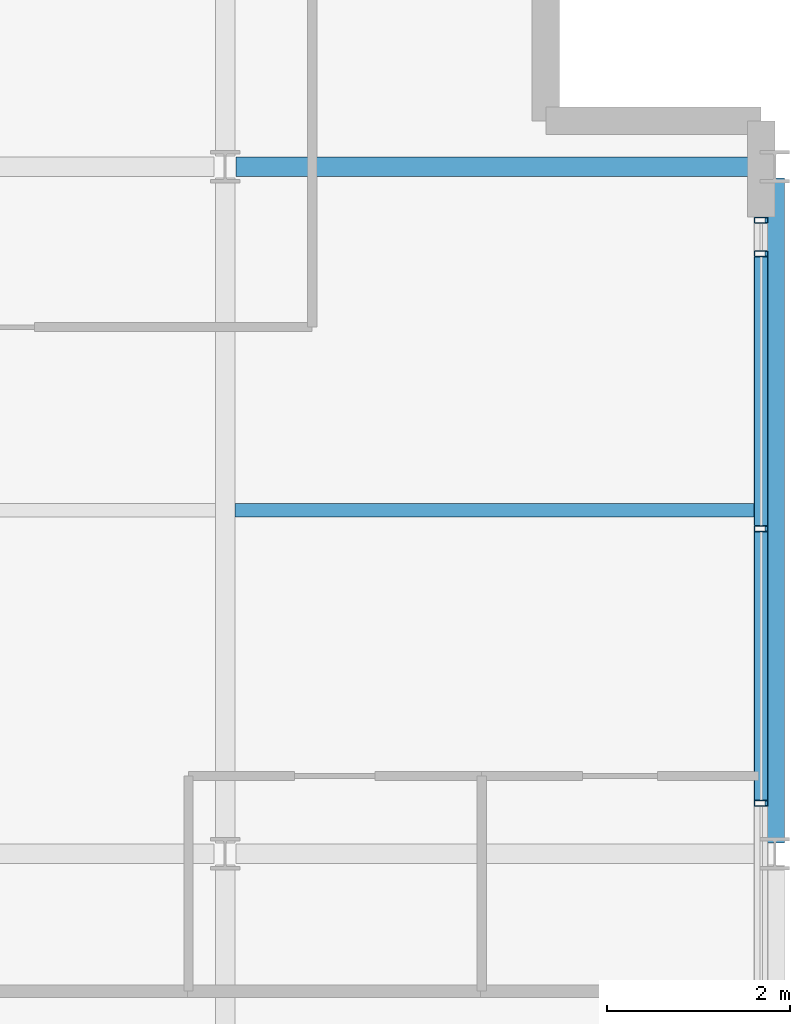
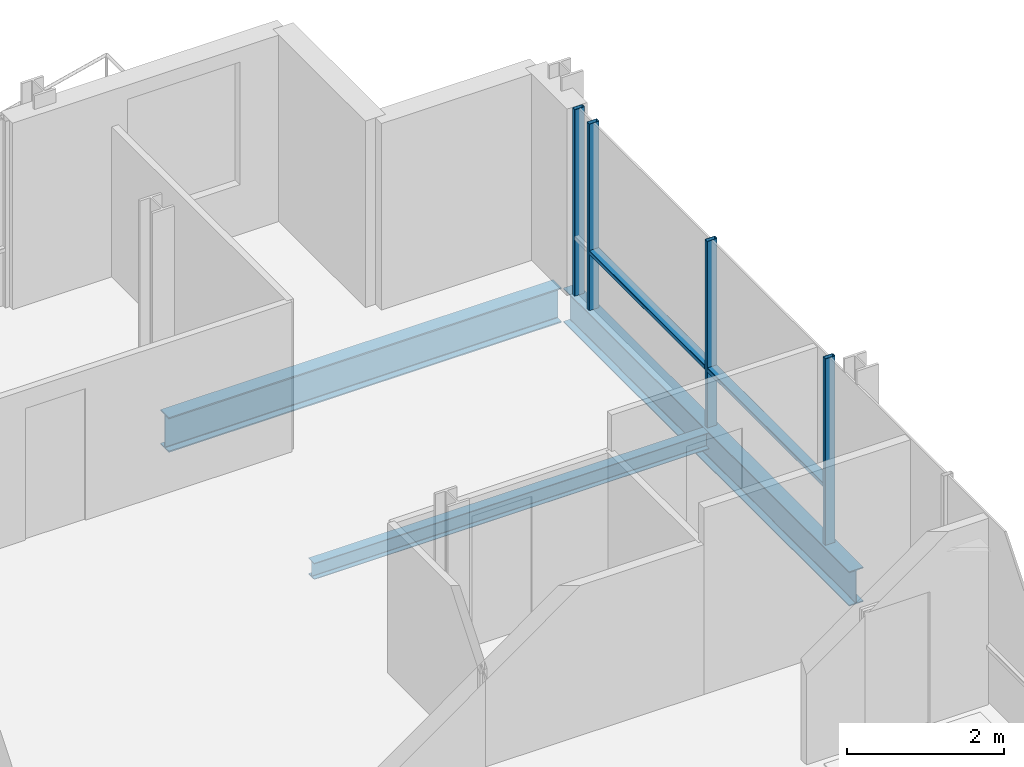
# One storey, part 9 of 17: 6 members, 3 beams, 1 element without a shape of its own.
"""IFC4 building model written with IfcOpenShell, lengths in metres."""

from ifc_helpers import new_model, si_unit, direction, frame, origin, origin_2d, place, context, subcontext, project, spatial, hollow_rectangle, i_section, extrude, material, layer, layer_set, material_profile, profile_set, type_object, element, aggregate, save


model = new_model("IFC4")

# Units and contexts
model_context = context("Model", 3, precision=1e-05, world=origin(), true_north=direction((0.0, 1.0)))
body_context = subcontext(model_context, "Body", "Model", "MODEL_VIEW")
ifc_project = project(units=[si_unit("LENGTHUNIT", "METRE"), si_unit("AREAUNIT", "SQUARE_METRE"), si_unit("VOLUMEUNIT", "CUBIC_METRE"), si_unit("PLANEANGLEUNIT", "RADIAN"), si_unit("MASSUNIT", "GRAM", prefix="KILO")], contexts=[model_context])

# Site, building, storey
site_placement = place(None, origin())
site = spatial("IfcSite", under=ifc_project, at=site_placement, CompositionType="ELEMENT")
building_placement = place(site_placement, origin())
building = spatial("IfcBuilding", under=site, at=building_placement, Name="Brevholm Reach", CompositionType="ELEMENT")
storey_placement = place(building_placement, frame((0.0, 0.0, 221.10009765625)))
storey = spatial("IfcBuildingStorey", under=building, at=storey_placement, Name="L67", CompositionType="ELEMENT", Elevation=221.10009765625)

# Beams
ifc_material_1 = material(Name="Structural Steel S355J2", Category="steel")
ifc_material_profile_1 = material_profile(ifc_material_1, i_section(OverallWidth=0.14599609375, OverallDepth=0.25146484375, WebThickness=0.006103515625, FlangeThickness=0.008544921875, FilletRadius=0.007568359375, at=origin_2d()), Name="UKB 254x146x31")
ifc_profile_set_1 = profile_set([ifc_material_profile_1], Name="Structural Steel S355J2")
beam_type_1 = type_object("IfcBeamType", Name="BM-B254", PredefinedType="BEAM", material=ifc_profile_set_1)
beam_1_placement = place(storey_placement, frame((54.10546875, 19.75, -0.335693359375), z_axis=(1.0, 0.0, 0.0), x_axis=(0.0, 1.0, 0.0)))
element("IfcBeam", 1, at=beam_1_placement, inside=storey, type_object=beam_type_1, Name="L67 Composite Secondary Floor Beam", PredefinedType="BEAM", context=body_context, shape_type="SweptSolid", body=[
    extrude(i_section(OverallWidth=0.14599609375, OverallDepth=0.25146484375, WebThickness=0.006103515625, FlangeThickness=0.008544921875, FilletRadius=0.007568359375, at=origin_2d()), origin(), (0.0, 0.0, 1.0), 5.789794921875),
])
ifc_material_2 = material(Name="Structural Steel S355J2", Category="steel")
ifc_material_profile_2 = material_profile(ifc_material_2, i_section(OverallWidth=0.209228515625, OverallDepth=0.533203125, WebThickness=0.010009765625, FlangeThickness=0.015625, FilletRadius=0.0126953125, at=origin_2d()), Name="UKB 533x210x92")
ifc_profile_set_2 = profile_set([ifc_material_profile_2], Name="Structural Steel S355J2")
beam_type_2 = type_object("IfcBeamType", Name="BM-SP533", PredefinedType="SPANDREL", material=ifc_profile_set_2)
beam_2_placement = place(storey_placement, frame((60.0, 16.1201171875, -0.4765625), z_axis=(0.0, 1.0, 0.0), x_axis=(-1.0, 0.0, 0.0)))
element("IfcBeam", 2, at=beam_2_placement, inside=storey, type_object=beam_type_2, Name="L67 SP-02 Framing Beam", PredefinedType="SPANDREL", context=body_context, shape_type="SweptSolid", body=[
    extrude(i_section(OverallWidth=0.209228515625, OverallDepth=0.533203125, WebThickness=0.010009765625, FlangeThickness=0.015625, FilletRadius=0.0126953125, at=origin_2d()), origin(), (0.0, 0.0, 1.0), 7.259765625),
])
ifc_material_3 = material(Name="Structural Steel S355J2", Category="steel")
ifc_material_profile_3 = material_profile(ifc_material_3, i_section(OverallWidth=0.210693359375, OverallDepth=0.53955078125, WebThickness=0.01171875, FlangeThickness=0.018798828125, FilletRadius=0.0126953125, at=origin_2d()), Name="UKB 533x210x109")
ifc_profile_set_3 = profile_set([ifc_material_profile_3], Name="Structural Steel S355J2")
beam_type_3 = type_object("IfcBeamType", Name="BM-SP539", PredefinedType="SPANDREL", material=ifc_profile_set_3)
beam_3_placement = place(storey_placement, frame((54.1201171875, 23.5, -0.479736328125), z_axis=(1.0, 0.0, 0.0), x_axis=(0.0, 1.0, 0.0)))
element("IfcBeam", 3, at=beam_3_placement, inside=storey, type_object=beam_type_3, Name="L67 SP-01B Framing Beam", PredefinedType="SPANDREL", context=body_context, shape_type="SweptSolid", body=[
    extrude(i_section(OverallWidth=0.210693359375, OverallDepth=0.53955078125, WebThickness=0.01171875, FlangeThickness=0.018798828125, FilletRadius=0.0126953125, at=origin_2d()), origin(), (0.0, 0.0, 1.0), 5.759765625),
])

# Curtain wall, members
ifc_material_4 = material(Name="Dark Anodised Aluminium 6063-T6 and Solar-Control Glass", Category="aluminium")
ifc_layer = layer(ifc_material_4, 0.14990234375)
ifc_layer_set = layer_set([ifc_layer], Name="Dark Anodised Aluminium 6063-T6 and Solar-Control Glass")
curtain_wall_type = type_object("IfcCurtainWallType", Name="CW-01", PredefinedType="NOTDEFINED", material=ifc_layer_set)
curtain_wall_placement = place(storey_placement, origin())
curtain_wall = element("IfcCurtainWall", 4, at=curtain_wall_placement, inside=storey, type_object=curtain_wall_type, Name="L67 Curtain Wall CW-01", PredefinedType="NOTDEFINED")
ifc_material_5 = material(Name="Dark Anodised Aluminium 6063-T6", Category="aluminium")
ifc_material_profile_4 = material_profile(ifc_material_5, hollow_rectangle(XDim=0.06494140625, YDim=0.14990234375, WallThickness=0.0048828125, InnerFilletRadius=0.0048828125, OuterFilletRadius=0.010009765625, at=origin_2d()), Name="RHS 150x65x5")
ifc_profile_set_4 = profile_set([ifc_material_profile_4], Name="Dark Anodised Aluminium 6063-T6")
member_type_1 = type_object("IfcMemberType", Name="CWM-150", PredefinedType="MULLION", material=ifc_profile_set_4)
member_1_placement = place(storey_placement, frame((59.85009765625, 16.550048828125, 0.0), z_axis=(0.0, 0.0, 1.0), x_axis=(0.0, 1.0, 0.0)))
member_1 = element("IfcMember", 5, at=member_1_placement, type_object=member_type_1, Name="CM-150 Mullion 3", PredefinedType="MULLION", context=body_context, shape_type="SweptSolid", body=[
    extrude(hollow_rectangle(XDim=0.06494140625, YDim=0.14990234375, WallThickness=0.0048828125, InnerFilletRadius=0.0048828125, OuterFilletRadius=0.010009765625, at=origin_2d()), origin(), (0.0, 0.0, 1.0), 2.889892578125),
])
member_2_placement = place(storey_placement, frame((59.85009765625, 19.550048828125, 0.0), z_axis=(0.0, 0.0, 1.0), x_axis=(0.0, 1.0, 0.0)))
member_2 = element("IfcMember", 6, at=member_2_placement, type_object=member_type_1, Name="CM-150 Mullion 4", PredefinedType="MULLION", context=body_context, shape_type="SweptSolid", body=[
    extrude(hollow_rectangle(XDim=0.06494140625, YDim=0.14990234375, WallThickness=0.0048828125, InnerFilletRadius=0.0048828125, OuterFilletRadius=0.010009765625, at=origin_2d()), origin(), (0.0, 0.0, 1.0), 2.889892578125),
])
member_3_placement = place(storey_placement, frame((59.85009765625, 22.550048828125, 0.0), z_axis=(0.0, 0.0, 1.0), x_axis=(0.0, 1.0, 0.0)))
member_3 = element("IfcMember", 7, at=member_3_placement, type_object=member_type_1, Name="CM-150 Mullion 5", PredefinedType="MULLION", context=body_context, shape_type="SweptSolid", body=[
    extrude(hollow_rectangle(XDim=0.06494140625, YDim=0.14990234375, WallThickness=0.0048828125, InnerFilletRadius=0.0048828125, OuterFilletRadius=0.010009765625, at=origin_2d()), origin(), (0.0, 0.0, 1.0), 2.889892578125),
])
member_4_placement = place(storey_placement, frame((59.85009765625, 22.91748046875, 0.0), z_axis=(0.0, 0.0, 1.0), x_axis=(0.0, 1.0, 0.0)))
member_4 = element("IfcMember", 8, at=member_4_placement, type_object=member_type_1, Name="CM-150 Mullion 6", PredefinedType="MULLION", context=body_context, shape_type="SweptSolid", body=[
    extrude(hollow_rectangle(XDim=0.06494140625, YDim=0.14990234375, WallThickness=0.0048828125, InnerFilletRadius=0.0048828125, OuterFilletRadius=0.010009765625, at=origin_2d()), origin(), (0.0, 0.0, 1.0), 2.889892578125),
])
ifc_material_6 = material(Name="Dark Anodised Aluminium 6063-T6", Category="aluminium")
ifc_material_profile_5 = material_profile(ifc_material_6, hollow_rectangle(XDim=0.06494140625, YDim=0.14990234375, WallThickness=0.0048828125, InnerFilletRadius=0.0048828125, OuterFilletRadius=0.010009765625, at=origin_2d()), Name="RHS 150x65x5")
ifc_profile_set_5 = profile_set([ifc_material_profile_5], Name="Dark Anodised Aluminium 6063-T6")
member_type_2 = type_object("IfcMemberType", Name="CWT-150", PredefinedType="NOTDEFINED", material=ifc_profile_set_5)
member_5_placement = place(storey_placement, frame((59.85009765625, 16.58251953125, 0.89990234375), z_axis=(0.0, 1.0, 0.0), x_axis=(0.0, 0.0, 1.0)))
member_5 = element("IfcMember", 9, at=member_5_placement, type_object=member_type_2, Name="CT-150 Transom 3.1", ObjectType="TRANSOM", PredefinedType="USERDEFINED", context=body_context, shape_type="SweptSolid", body=[
    extrude(hollow_rectangle(XDim=0.06494140625, YDim=0.14990234375, WallThickness=0.0048828125, InnerFilletRadius=0.0048828125, OuterFilletRadius=0.010009765625, at=origin_2d()), origin(), (0.0, 0.0, 1.0), 2.93505859375),
])
member_6_placement = place(storey_placement, frame((59.85009765625, 19.58251953125, 0.89990234375), z_axis=(0.0, 1.0, 0.0), x_axis=(0.0, 0.0, 1.0)))
member_6 = element("IfcMember", 10, at=member_6_placement, type_object=member_type_2, Name="CT-150 Transom 4.1", ObjectType="TRANSOM", PredefinedType="USERDEFINED", context=body_context, shape_type="SweptSolid", body=[
    extrude(hollow_rectangle(XDim=0.06494140625, YDim=0.14990234375, WallThickness=0.0048828125, InnerFilletRadius=0.0048828125, OuterFilletRadius=0.010009765625, at=origin_2d()), origin(), (0.0, 0.0, 1.0), 2.93505859375),
])
aggregate(curtain_wall, [member_1, member_2, member_3, member_4, member_5, member_6])

save(model, "model.ifc")
